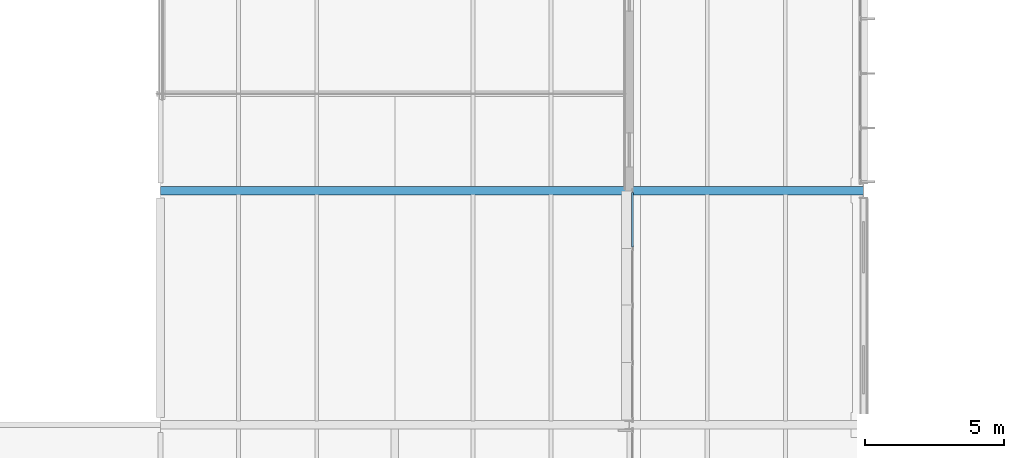
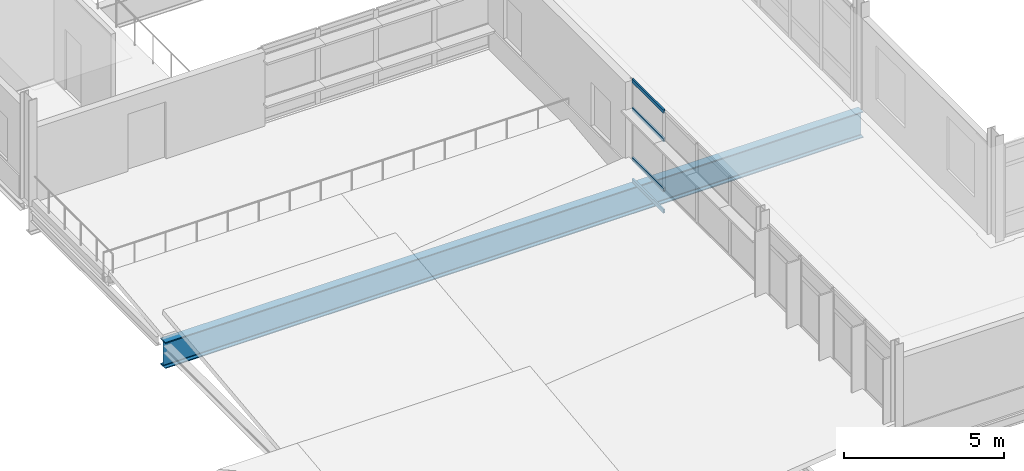
# One storey, part 25 of 131: 4 members, 1 beam, 1 element without a shape of its own.
"""IFC4 building model written with IfcOpenShell, lengths in metres."""

import ifcopenshell
import ifcopenshell.guid

model = None  # the IFC model being written
_history = None  # IfcOwnerHistory: only IFC2X3 demands one
_inside = {}  # id of a spatial element -> (the spatial element, [elements in it])
_under = {}  # id of a project, library or spatial element -> (it, [spatial elements below it])
_declared = {}  # id of a project -> (the project, [libraries it declares])
_typed = {}  # id of a type object -> (the type object, [elements of that type])
_made_of = {}  # id of a material, layer set ... -> (it, [elements and type objects made of it])


def new_model(schema):
    """Start an empty IFC model of exactly this schema.

    Asked for "IFC4X3", IfcOpenShell would pick the latest addendum, in which some entities
    have other attributes; the version numbers below select the first issue.
    IFC2X3 requires an IfcOwnerHistory on every rooted entity: one is made here for all.
    """
    global model, _history
    if schema == "IFC4X3":
        model = ifcopenshell.file(schema_version=(4, 3, 0, 0))
    else:
        model = ifcopenshell.file(schema=schema)
    _inside.clear()
    _under.clear()
    _declared.clear()
    _typed.clear()
    _made_of.clear()
    _history = None
    if model.schema == "IFC2X3":
        org = make("IfcOrganization", Name="unknown")
        user = make(
            "IfcPersonAndOrganization",
            ThePerson=make("IfcPerson", FamilyName="unknown"),
            TheOrganization=org,
        )
        app = make(
            "IfcApplication",
            ApplicationDeveloper=org,
            Version="unknown",
            ApplicationFullName="unknown",
            ApplicationIdentifier="unknown",
        )
        _history = make(
            "IfcOwnerHistory",
            OwningUser=user,
            OwningApplication=app,
            ChangeAction="ADDED",
            CreationDate=0,
        )
    return model


def make(cls, **values):
    """One entity of the class cls with the attributes given. An attribute that is None is left unset."""
    return model.create_entity(
        cls, **{name: value for name, value in values.items() if value is not None}
    )


def rooted(cls, **values):
    """An entity with a GlobalId (a new one), such as an element, a storey or a relation."""
    return make(cls, GlobalId=ifcopenshell.guid.new(), OwnerHistory=_history, **values)


def si_unit(unit_type, name, prefix=None):
    """IfcSIUnit, for example si_unit("LENGTHUNIT", "METRE", prefix="MILLI")."""
    return make("IfcSIUnit", UnitType=unit_type, Prefix=prefix, Name=name)


def assignment(units):
    """IfcUnitAssignment: the units of a project."""
    return None if units is None else make("IfcUnitAssignment", Units=units)


def point(xyz):
    """IfcCartesianPoint."""
    return None if xyz is None else make("IfcCartesianPoint", Coordinates=xyz)


def direction(xyz):
    """IfcDirection."""
    return None if xyz is None else make("IfcDirection", DirectionRatios=xyz)


def frame(location, z_axis=None, x_axis=None):
    """IfcAxis2Placement3D, a coordinate frame: its origin and axes. An axis left out is left unset."""
    return make(
        "IfcAxis2Placement3D",
        Location=point(location),
        Axis=direction(z_axis),
        RefDirection=direction(x_axis),
    )


def frame_2d(location, x_axis=None):
    """IfcAxis2Placement2D, a coordinate frame in the plane: its origin and x axis."""
    return make(
        "IfcAxis2Placement2D", Location=point(location), RefDirection=direction(x_axis)
    )


def origin():
    """The frame at (0, 0, 0) with its axes left unset."""
    return frame((0.0, 0.0, 0.0))


def origin_2d():
    """The frame at (0, 0) in the plane with its x axis left unset."""
    return frame_2d((0.0, 0.0))


def place(relative_to, where):
    """IfcLocalPlacement: puts the frame where relative to a parent placement (None: the world)."""
    return make(
        "IfcLocalPlacement", PlacementRelTo=relative_to, RelativePlacement=where
    )


def context(
    kind, dimensions, precision=None, world=None, true_north=None, identifier=None
):
    """IfcGeometricRepresentationContext, for example the 3D "Model" context."""
    return make(
        "IfcGeometricRepresentationContext",
        ContextIdentifier=identifier,
        ContextType=kind,
        CoordinateSpaceDimension=dimensions,
        Precision=precision,
        WorldCoordinateSystem=world,
        TrueNorth=true_north,
    )


def subcontext(parent, identifier, kind, view, scale=None):
    """IfcGeometricRepresentationSubContext, for example "Body" below "Model"."""
    return make(
        "IfcGeometricRepresentationSubContext",
        ContextIdentifier=identifier,
        ContextType=kind,
        ParentContext=parent,
        TargetScale=scale,
        TargetView=view,
    )


def project(units=None, contexts=None):
    """IfcProject with its units and contexts."""
    return rooted(
        "IfcProject",
        Name="project",
        RepresentationContexts=contexts,
        UnitsInContext=assignment(units),
    )


def spatial(cls, under=None, at=None, **own):
    """A site, building, storey or space (cls), placed at a placement, below another one or the project."""
    s = rooted(cls, ObjectPlacement=at, **own)
    if under is not None:
        _under.setdefault(under.id(), (under, []))[1].append(s)
    return s


def profile(cls, at=None, kind="AREA", **sizes):
    """A parametric profile (cls). Its sizes go by their IFC names, for example OverallWidth=200.0."""
    return make(cls, ProfileType=kind, Position=at, **sizes)


def hollow_rectangle(**sizes):
    """IfcRectangleHollowProfileDef."""
    return profile("IfcRectangleHollowProfileDef", **sizes)


def i_section(**sizes):
    """IfcIShapeProfileDef."""
    return profile("IfcIShapeProfileDef", **sizes)


def extrude(swept, where, along, depth):
    """IfcExtrudedAreaSolid: the profile swept, set in the frame where, extruded along a direction by depth."""
    return make(
        "IfcExtrudedAreaSolid",
        SweptArea=swept,
        Position=where,
        ExtrudedDirection=direction(along),
        Depth=depth,
    )


def shape(context_of_items, identifier, shape_type, items):
    """IfcShapeRepresentation: the items that make up one representation, for example the "Body"."""
    return make(
        "IfcShapeRepresentation",
        ContextOfItems=context_of_items,
        RepresentationIdentifier=identifier,
        RepresentationType=shape_type,
        Items=items,
    )


def material(Name=None, Category=None):
    """IfcMaterial."""
    return make("IfcMaterial", Name=Name, Category=Category)


def material_profile(
    of_material, cross_section, Name=None, Category=None, Priority=None
):
    """IfcMaterialProfile: a cross section and its material."""
    return make(
        "IfcMaterialProfile",
        Name=Name,
        Material=of_material,
        Profile=cross_section,
        Priority=Priority,
        Category=Category,
    )


def profile_set(profiles, Name=None, composite=None):
    """IfcMaterialProfileSet."""
    return make(
        "IfcMaterialProfileSet",
        Name=Name,
        MaterialProfiles=profiles,
        CompositeProfile=composite,
    )


def made_of(thing, what):
    """Note that an element or type object is made of a material, layer set ...; save() writes the relation."""
    if what is not None:
        _made_of.setdefault(what.id(), (what, []))[1].append(thing)
    return thing


def type_object(cls, material=None, **own):
    """A type object (cls), such as IfcWallType, which elements share."""
    return made_of(rooted(cls, **own), material)


def element(
    cls,
    number,
    at=None,
    inside=None,
    cuts=None,
    type_object=None,
    material=None,
    context=None,
    identifier="Body",
    shape_type=None,
    held_by="IfcProductDefinitionShape",
    body=None,
    shapes=None,
    **own,
):
    """One element of the class cls, such as IfcWall. Its Tag is "e" and its number.

    at: its placement. inside: the storey or other place that contains it. cuts: it is an
    opening in that element (IfcRelVoidsElement). A single representation is given by context,
    identifier, shape_type and body (its items); several are given by shapes. held_by: the class
    of the entity that holds the representations. save() writes the other relations.
    """
    e = rooted(cls, Tag="e%d" % number, ObjectPlacement=at, **own)
    if body is not None:
        shapes = [shape(context, identifier, shape_type, body)]
    if shapes is not None:
        e.Representation = make(held_by, Representations=shapes)
    if inside is not None:
        _inside.setdefault(inside.id(), (inside, []))[1].append(e)
    if cuts is not None:
        rooted(
            "IfcRelVoidsElement", RelatingBuildingElement=cuts, RelatedOpeningElement=e
        )
    if type_object is not None:
        _typed.setdefault(type_object.id(), (type_object, []))[1].append(e)
    return made_of(e, material)


def aggregate(whole, parts):
    """IfcRelAggregates: a whole, such as a stair, and the parts it consists of."""
    return rooted("IfcRelAggregates", RelatingObject=whole, RelatedObjects=parts)


def save(model, path):
    """Write the relations noted so far, then the file.

    IfcRelAggregates (storeys below a building ...), IfcRelContainedInSpatialStructure (elements
    in a storey), IfcRelDefinesByType, IfcRelAssociatesMaterial and IfcRelDeclares: one each for
    every whole, place, type object, material and project.
    """
    for whole, parts in _under.values():
        aggregate(whole, parts)
    for where, things in _inside.values():
        rooted(
            "IfcRelContainedInSpatialStructure",
            RelatedElements=things,
            RelatingStructure=where,
        )
    for kind, things in _typed.values():
        rooted("IfcRelDefinesByType", RelatedObjects=things, RelatingType=kind)
    for what, things in _made_of.values():
        rooted("IfcRelAssociatesMaterial", RelatedObjects=things, RelatingMaterial=what)
    for by, libraries in _declared.values():
        rooted("IfcRelDeclares", RelatingContext=by, RelatedDefinitions=libraries)
    model.write(path)


model = new_model("IFC4")

# Units and contexts
model_context = context("Model", 3, precision=1e-05, world=origin(), true_north=direction((0.0, 1.0)))
body_context = subcontext(model_context, "Body", "Model", "MODEL_VIEW")
ifc_project = project(units=[si_unit("LENGTHUNIT", "METRE"), si_unit("AREAUNIT", "SQUARE_METRE"), si_unit("VOLUMEUNIT", "CUBIC_METRE"), si_unit("PLANEANGLEUNIT", "RADIAN"), si_unit("MASSUNIT", "GRAM", prefix="KILO")], contexts=[model_context])

# Site, building, storey
site_placement = place(None, origin())
site = spatial("IfcSite", under=ifc_project, at=site_placement, CompositionType="ELEMENT")
building_placement = place(site_placement, origin())
building = spatial("IfcBuilding", under=site, at=building_placement, Name="Mersafa Astral City Hall", CompositionType="ELEMENT")
storey_placement = place(building_placement, frame((0.0, 0.0, 13.949951171875)))
storey = spatial("IfcBuildingStorey", under=building, at=storey_placement, Name="L03", CompositionType="ELEMENT", Elevation=13.949951171875)

# Curtain wall, members
ifc_material_1 = material(Name="Anodised bronze aluminium framing", Category="aluminium")
curtain_wall_type = type_object("IfcCurtainWallType", Name="ENV-CW-4", PredefinedType="USERDEFINED", material=ifc_material_1)
curtain_wall_placement = place(storey_placement, origin())
curtain_wall = element("IfcCurtainWall", 1, at=curtain_wall_placement, inside=storey, type_object=curtain_wall_type, Name="L03 Unitised solar curtain wall 189", ObjectType="UNITISED CURTAIN WALL", PredefinedType="USERDEFINED")
ifc_material_profile_1 = material_profile(ifc_material_1, hollow_rectangle(XDim=0.06005859375, YDim=0.139892578125, WallThickness=0.00390625, at=origin_2d()), Name="RHS 60x140x4")
ifc_profile_set_1 = profile_set([ifc_material_profile_1], Name="Anodised bronze aluminium framing")
member_type = type_object("IfcMemberType", Name="ENV-CW-TRN-1", PredefinedType="USERDEFINED", material=ifc_profile_set_1)
member_1_placement = place(storey_placement, frame((109.320068359375, 41.93994140625, 0.028076171875), z_axis=(0.0, -1.0, 0.0), x_axis=(1.0, 0.0, 0.0)))
member_1 = element("IfcMember", 2, at=member_1_placement, type_object=member_type, Name="CW-4 transom 1.1", ObjectType="TRANSOM", PredefinedType="USERDEFINED", context=body_context, shape_type="SweptSolid", body=[
    extrude(hollow_rectangle(XDim=0.06005859375, YDim=0.139892578125, WallThickness=0.00390625, at=origin_2d()), origin(), (0.0, 0.0, 1.0), 1.969482421875),
])
member_2_placement = place(storey_placement, frame((109.320068359375, 41.93994140625, 0.85009765625), z_axis=(0.0, -1.0, 0.0), x_axis=(1.0, 0.0, 0.0)))
member_2 = element("IfcMember", 3, at=member_2_placement, type_object=member_type, Name="CW-4 transom 1.2", ObjectType="TRANSOM", PredefinedType="USERDEFINED", context=body_context, shape_type="SweptSolid", body=[
    extrude(hollow_rectangle(XDim=0.06005859375, YDim=0.139892578125, WallThickness=0.00390625, at=origin_2d()), origin(), (0.0, 0.0, 1.0), 1.969482421875),
])
member_3_placement = place(storey_placement, frame((109.320068359375, 41.93994140625, 2.75), z_axis=(0.0, -1.0, 0.0), x_axis=(1.0, 0.0, 0.0)))
member_3 = element("IfcMember", 4, at=member_3_placement, type_object=member_type, Name="CW-4 transom 1.3", ObjectType="TRANSOM", PredefinedType="USERDEFINED", context=body_context, shape_type="SweptSolid", body=[
    extrude(hollow_rectangle(XDim=0.06005859375, YDim=0.139892578125, WallThickness=0.00390625, at=origin_2d()), origin(), (0.0, 0.0, 1.0), 1.969482421875),
])
member_4_placement = place(storey_placement, frame((109.320068359375, 41.93994140625, 3.8349609375), z_axis=(0.0, -1.0, 0.0), x_axis=(1.0, 0.0, 0.0)))
member_4 = element("IfcMember", 5, at=member_4_placement, type_object=member_type, Name="CW-4 transom 1.4", ObjectType="TRANSOM", PredefinedType="USERDEFINED", context=body_context, shape_type="SweptSolid", body=[
    extrude(hollow_rectangle(XDim=0.06005859375, YDim=0.139892578125, WallThickness=0.00390625, at=origin_2d()), origin(), (0.0, 0.0, 1.0), 1.969482421875),
])
aggregate(curtain_wall, [member_1, member_2, member_3, member_4])

# Beam
ifc_material_2 = material(Name="Steel S355", Category="steel")
ifc_material_profile_2 = material_profile(ifc_material_2, i_section(OverallWidth=0.300048828125, OverallDepth=1.0, WebThickness=0.01904296875, FlangeThickness=0.035888671875, FilletRadius=0.030029296875, at=origin_2d()), Name="HEB 1000")
ifc_profile_set_2 = profile_set([ifc_material_profile_2], Name="Steel S355")
beam_type = type_object("IfcBeamType", Name="STR-BM-PORTAL-HEB1000", PredefinedType="BEAM", material=ifc_profile_set_2)
beam_placement = place(storey_placement, frame((92.403076171875, 42.0, -0.699951171875), z_axis=(1.0, 0.0, 0.0), x_axis=(0.0, 1.0, 0.0)))
element("IfcBeam", 6, at=beam_placement, inside=storey, type_object=beam_type, Name="L03 Public Service Hall clear-span portal girder 5", PredefinedType="BEAM", context=body_context, shape_type="SweptSolid", body=[
    extrude(i_section(OverallWidth=0.300048828125, OverallDepth=1.0, WebThickness=0.01904296875, FlangeThickness=0.035888671875, FilletRadius=0.030029296875, at=origin_2d()), origin(), (0.0, 0.0, 1.0), 25.19384765625),
])

save(model, "model.ifc")
